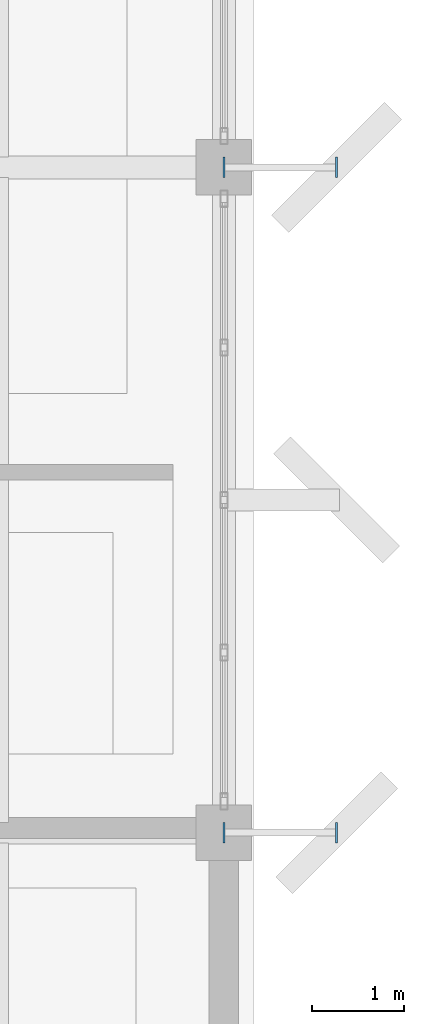
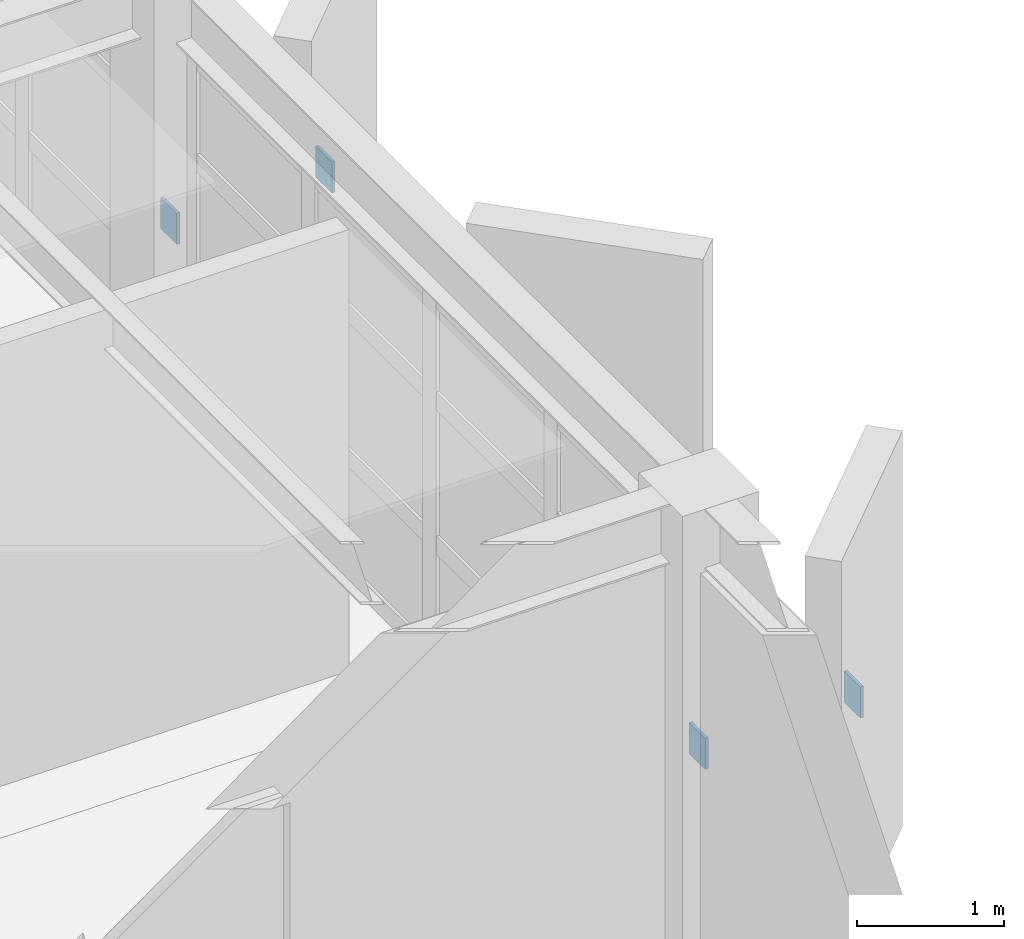
# One storey, part 14 of 16: 4 discrete accessories.
"""IFC4 building model written with IfcOpenShell, lengths in metres."""

from ifc_helpers import new_model, si_unit, direction, frame, origin, origin_2d, place, context, subcontext, project, spatial, rectangle, extrude, material, type_object, element, save


model = new_model("IFC4")

# Units and contexts
model_context = context("Model", 3, precision=1e-05, world=origin(), true_north=direction((0.0, 1.0)))
body_context = subcontext(model_context, "Body", "Model", "MODEL_VIEW")
ifc_project = project(units=[si_unit("LENGTHUNIT", "METRE"), si_unit("AREAUNIT", "SQUARE_METRE"), si_unit("VOLUMEUNIT", "CUBIC_METRE"), si_unit("PLANEANGLEUNIT", "RADIAN"), si_unit("MASSUNIT", "GRAM", prefix="KILO")], contexts=[model_context])

# Site, building, storey
site_placement = place(None, origin())
site = spatial("IfcSite", under=ifc_project, at=site_placement, CompositionType="ELEMENT")
building_placement = place(site_placement, origin())
building = spatial("IfcBuilding", under=site, at=building_placement, Name="Kandorven Conservatory and Botanical Research Centre", CompositionType="ELEMENT")
storey_placement = place(building_placement, frame((0.0, 0.0, 44.39990234375)))
storey = spatial("IfcBuildingStorey", under=building, at=storey_placement, Name="L11", CompositionType="ELEMENT", Elevation=44.39990234375)

# Discrete accessories
ifc_material = material(Name="Steel S355 (IS 2062 E350)", Category="steel")
discrete_accessory_type = type_object("IfcDiscreteAccessoryType", Name="SteelGussetPlate", PredefinedType="BRACKET", material=ifc_material)
for number, where, z_axis, x_axis, name in (
    (1, (34.800048828125, 13.199951171875, 1.3701171875), (0.0, 0.0, 1.0), (1.0, 0.0, 0.0), "Welded steel strut end-plate GUS-01 #93A"),
    (2, (36.02001953125, 13.199951171875, 1.3701171875), (0.0, 0.0, 1.0), (1.0, 0.0, 0.0), "Welded steel strut end-plate GUS-01 #93B"),
    (3, (34.800048828125, 20.39990234375, 1.3701171875), (0.0, 0.0, 1.0), (1.0, 0.0, 0.0), "Welded steel strut end-plate GUS-01 #95A"),
    (4, (36.02001953125, 20.39990234375, 1.3701171875), (0.0, 0.0, 1.0), (1.0, 0.0, 0.0), "Welded steel strut end-plate GUS-01 #95B"),
):
    element("IfcDiscreteAccessory", number, at=place(storey_placement, frame(where, z_axis=z_axis, x_axis=x_axis)), inside=storey, type_object=discrete_accessory_type, Name=name, PredefinedType="BRACKET", context=body_context, shape_type="SweptSolid", body=[
        extrude(rectangle(XDim=0.02392578125, YDim=0.219970703125, at=origin_2d()), origin(), (0.0, 0.0, 1.0), 0.260009765625),
    ])

save(model, "model.ifc")
